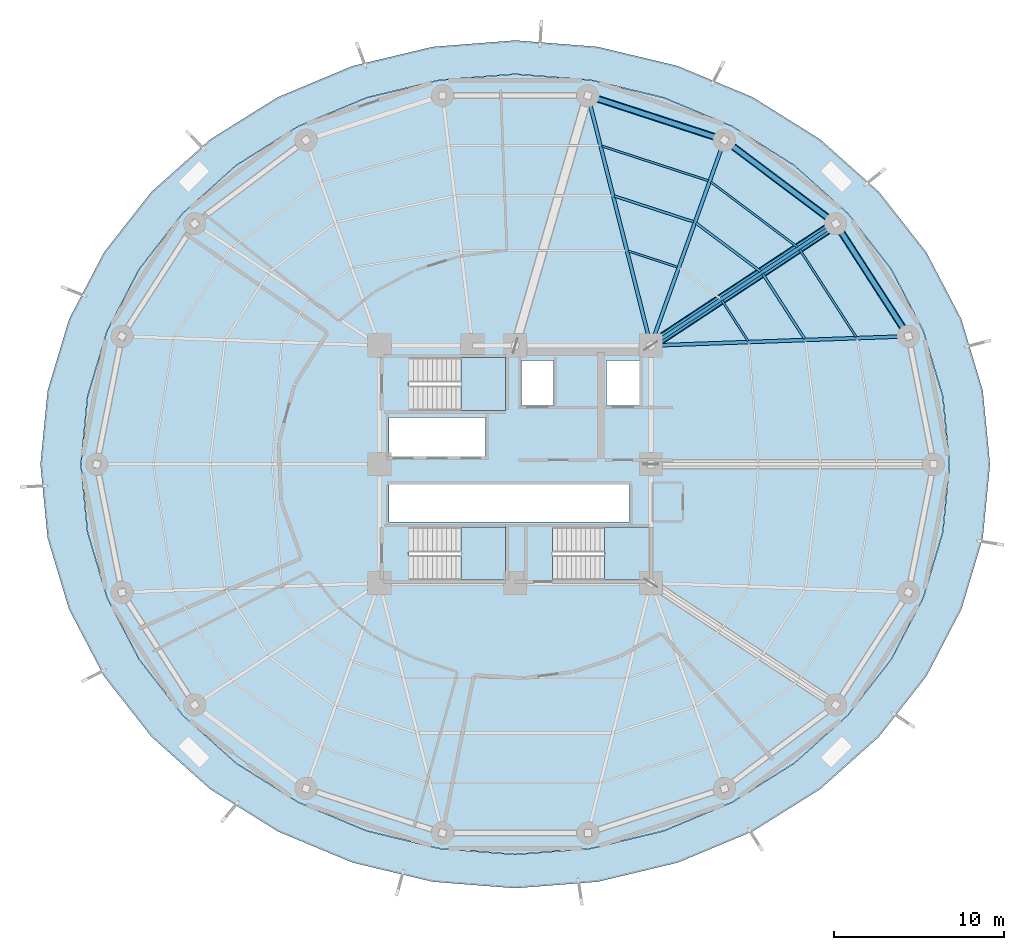
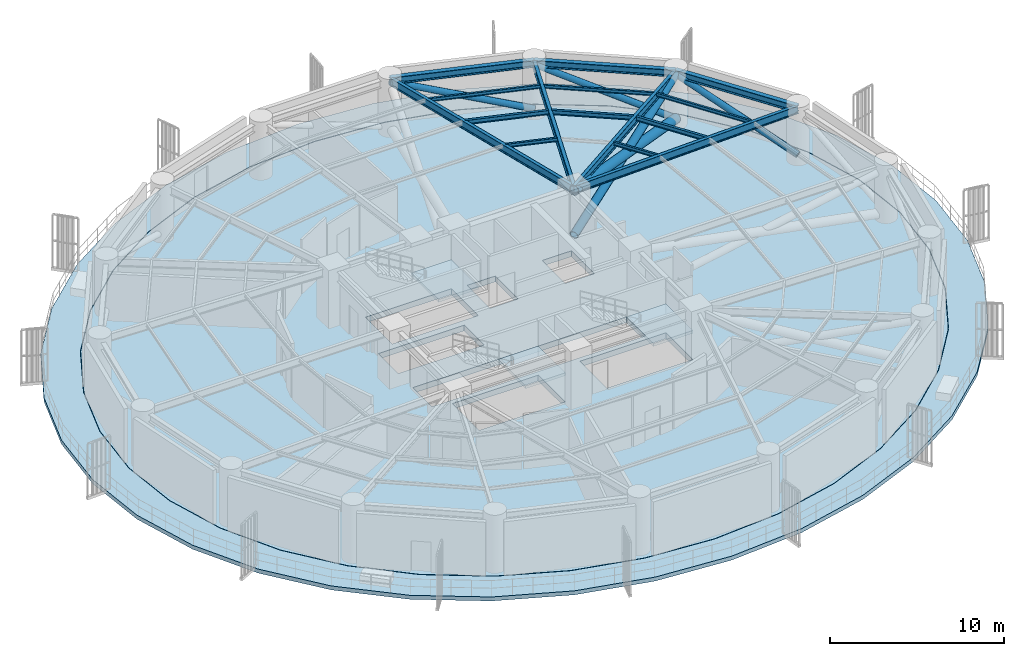
# One storey, part 3 of 10: 15 beams, 5 members, 5 slabs, 3 elements without a shape of their own.
"""IFC4 building model written with IfcOpenShell, lengths in metres."""

from ifc_helpers import new_model, si_unit, direction, frame, origin, origin_2d, place, context, subcontext, project, spatial, polyline, hollow_circle, i_section, outline, extrude, material, layer, layer_set, material_profile, profile_set, type_object, element, aggregate, save


model = new_model("IFC4")

# Units and contexts
model_context = context("Model", 3, precision=1e-05, world=origin(), true_north=direction((0.0, 1.0)))
body_context = subcontext(model_context, "Body", "Model", "MODEL_VIEW")
ifc_project = project(units=[si_unit("LENGTHUNIT", "METRE"), si_unit("AREAUNIT", "SQUARE_METRE"), si_unit("VOLUMEUNIT", "CUBIC_METRE"), si_unit("PLANEANGLEUNIT", "RADIAN"), si_unit("MASSUNIT", "GRAM", prefix="KILO")], contexts=[model_context])

# Site, building, storey
site_placement = place(None, origin())
site = spatial("IfcSite", under=ifc_project, at=site_placement, CompositionType="ELEMENT")
building_placement = place(site_placement, origin())
building = spatial("IfcBuilding", under=site, at=building_placement, Name="Kelanora Arch Commons", CompositionType="ELEMENT")
storey_placement = place(building_placement, frame((0.0, 0.0, 72.260009765625)))
storey = spatial("IfcBuildingStorey", under=building, at=storey_placement, Name="L18", CompositionType="ELEMENT", Elevation=72.260009765625)

# Beams
ifc_material_1 = material(Name="Steel S355", Category="steel")
ifc_material_profile_1 = material_profile(ifc_material_1, i_section(OverallWidth=0.14990234375, OverallDepth=0.300048828125, WebThickness=0.007080078125, FlangeThickness=0.0107421875, FilletRadius=0.014892578125, at=origin_2d()), Name="IPE300")
ifc_profile_set_1 = profile_set([ifc_material_profile_1], Name="Steel S355")
beam_type_1 = type_object("IfcBeamType", Name="BM-JST-01", PredefinedType="JOIST", material=ifc_profile_set_1)
beam_1_placement = place(storey_placement, frame((91.06884765625, 65.402587890625, 3.679931640625), z_axis=(-0.542230243286, 0.840229946661, 0.0), x_axis=(-0.840229946661, -0.542230243286, 0.0)))
element("IfcBeam", 1, at=beam_1_placement, inside=storey, type_object=beam_type_1, Name="Secondary Chord Joist BJB-02 L18", PredefinedType="JOIST", context=body_context, shape_type="SweptSolid", body=[
    extrude(i_section(OverallWidth=0.14990234375, OverallDepth=0.300048828125, WebThickness=0.007080078125, FlangeThickness=0.0107421875, FilletRadius=0.014892578125, at=origin_2d()), origin(), (0.0, 0.0, 1.0), 4.572265625),
])
beam_2_placement = place(storey_placement, frame((88.4755859375, 69.36669921875, 3.679931640625), z_axis=(-0.79971039107, 0.600385951214, 0.0), x_axis=(-0.600385951214, -0.79971039107, 0.0)))
element("IfcBeam", 2, at=beam_2_placement, inside=storey, type_object=beam_type_1, Name="Secondary Chord Joist BJB-04 L18", PredefinedType="JOIST", context=body_context, shape_type="SweptSolid", body=[
    extrude(i_section(OverallWidth=0.14990234375, OverallDepth=0.300048828125, WebThickness=0.007080078125, FlangeThickness=0.0107421875, FilletRadius=0.014892578125, at=origin_2d()), origin(), (0.0, 0.0, 1.0), 4.756103515625),
])
beam_3_placement = place(storey_placement, frame((84.523193359375, 72.29931640625, 3.679931640625), z_axis=(-0.950857140254, 0.309629938521, 0.0), x_axis=(-0.309629938521, -0.950857140254, 0.0)))
element("IfcBeam", 3, at=beam_3_placement, inside=storey, type_object=beam_type_1, Name="Secondary Chord Joist BJB-06 L18", PredefinedType="JOIST", context=body_context, shape_type="SweptSolid", body=[
    extrude(i_section(OverallWidth=0.14990234375, OverallDepth=0.300048828125, WebThickness=0.007080078125, FlangeThickness=0.0107421875, FilletRadius=0.014892578125, at=origin_2d()), origin(), (0.0, 0.0, 1.0), 4.912353515625),
])
ifc_material_profile_2 = material_profile(ifc_material_1, i_section(OverallWidth=0.1201171875, OverallDepth=0.239990234375, WebThickness=0.006103515625, FlangeThickness=0.009765625, FilletRadius=0.014892578125, at=origin_2d()), Name="IPE240")
ifc_profile_set_2 = profile_set([ifc_material_profile_2], Name="Steel S355")
beam_type_2 = type_object("IfcBeamType", Name="BM-JST-02", PredefinedType="JOIST", material=ifc_profile_set_2)
beam_4_placement = place(storey_placement, frame((87.726806640625, 65.281005859375, 3.7099609375), z_axis=(-0.542211255502, 0.840242199849, 0.0), x_axis=(-0.840242199849, -0.542211255502, 0.0)))
element("IfcBeam", 4, at=beam_4_placement, inside=storey, type_object=beam_type_2, Name="Secondary Chord Joist BJA-02 L18", PredefinedType="JOIST", context=body_context, shape_type="SweptSolid", body=[
    extrude(i_section(OverallWidth=0.1201171875, OverallDepth=0.239990234375, WebThickness=0.006103515625, FlangeThickness=0.009765625, FilletRadius=0.014892578125, at=origin_2d()), origin(), (0.0, 0.0, 1.0), 2.83349609375),
])
beam_5_placement = place(storey_placement, frame((94.107177734375, 65.512939453125, 3.7099609375), z_axis=(-0.542212726273, 0.840241250754, 0.0), x_axis=(-0.840241250754, -0.542212726273, 0.0)))
element("IfcBeam", 5, at=beam_5_placement, inside=storey, type_object=beam_type_2, Name="Secondary Chord Joist BJC-02 L18", PredefinedType="JOIST", context=body_context, shape_type="SweptSolid", body=[
    extrude(i_section(OverallWidth=0.1201171875, OverallDepth=0.239990234375, WebThickness=0.006103515625, FlangeThickness=0.009765625, FilletRadius=0.014892578125, at=origin_2d()), origin(), (0.0, 0.0, 1.0), 6.15283203125),
])
beam_6_placement = place(storey_placement, frame((90.65673828125, 70.805419921875, 3.7099609375), z_axis=(-0.799734335646, 0.600354055861, 0.0), x_axis=(-0.600354055861, -0.799734335646, 0.0)))
element("IfcBeam", 6, at=beam_6_placement, inside=storey, type_object=beam_type_2, Name="Secondary Chord Joist BJC-04 L18", PredefinedType="JOIST", context=body_context, shape_type="SweptSolid", body=[
    extrude(i_section(OverallWidth=0.1201171875, OverallDepth=0.239990234375, WebThickness=0.006103515625, FlangeThickness=0.009765625, FilletRadius=0.014892578125, at=origin_2d()), origin(), (0.0, 0.0, 1.0), 6.39794921875),
])
beam_7_placement = place(storey_placement, frame((83.568359375, 69.632568359375, 3.7099609375), z_axis=(-0.950846758946, 0.309661817151, 0.0), x_axis=(-0.309661817151, -0.950846758946, 0.0)))
element("IfcBeam", 7, at=beam_7_placement, inside=storey, type_object=beam_type_2, Name="Secondary Chord Joist BJA-06 L18", PredefinedType="JOIST", context=body_context, shape_type="SweptSolid", body=[
    extrude(i_section(OverallWidth=0.1201171875, OverallDepth=0.239990234375, WebThickness=0.006103515625, FlangeThickness=0.009765625, FilletRadius=0.014892578125, at=origin_2d()), origin(), (0.0, 0.0, 1.0), 3.048828125),
])
beam_8_placement = place(storey_placement, frame((85.39111328125, 74.723876953125, 3.7099609375), z_axis=(-0.950862829272, 0.309612467301, 0.0), x_axis=(-0.309612467301, -0.950862829272, 0.0)))
element("IfcBeam", 8, at=beam_8_placement, inside=storey, type_object=beam_type_2, Name="Secondary Chord Joist BJC-06 L18", PredefinedType="JOIST", context=body_context, shape_type="SweptSolid", body=[
    extrude(i_section(OverallWidth=0.1201171875, OverallDepth=0.239990234375, WebThickness=0.006103515625, FlangeThickness=0.009765625, FilletRadius=0.014892578125, at=origin_2d()), origin(), (0.0, 0.0, 1.0), 6.6064453125),
])
ifc_material_profile_3 = material_profile(ifc_material_1, i_section(OverallWidth=0.2099609375, OverallDepth=0.550048828125, WebThickness=0.010986328125, FlangeThickness=0.01708984375, FilletRadius=0.02392578125, at=origin_2d()), Name="IPE550")
ifc_profile_set_3 = profile_set([ifc_material_profile_3], Name="Steel S355")
beam_type_3 = type_object("IfcBeamType", Name="BM-RAD-Z2", PredefinedType="BEAM", material=ifc_profile_set_3)
beam_9_placement = place(storey_placement, frame((82.0, 65.0, 3.554931640625), z_axis=(0.999341087625, 0.036295875581, 0.0), x_axis=(-0.036295875581, 0.999341087625, 0.0)))
element("IfcBeam", 9, at=beam_9_placement, inside=storey, type_object=beam_type_3, Name="Radial Floor Girder BR-02 L18", PredefinedType="BEAM", context=body_context, shape_type="SweptSolid", body=[
    extrude(i_section(OverallWidth=0.2099609375, OverallDepth=0.550048828125, WebThickness=0.010986328125, FlangeThickness=0.01708984375, FilletRadius=0.02392578125, at=origin_2d()), origin(), (0.0, 0.0, 1.0), 15.20166015625),
])
beam_10_placement = place(storey_placement, frame((82.0, 65.0, 3.554931640625), z_axis=(0.834788577908, 0.550570640512, 0.0), x_axis=(-0.550570640512, 0.834788577908, 0.0)))
element("IfcBeam", 10, at=beam_10_placement, inside=storey, type_object=beam_type_3, Name="Radial Floor Girder BR-04 L18", PredefinedType="BEAM", context=body_context, shape_type="SweptSolid", body=[
    extrude(i_section(OverallWidth=0.2099609375, OverallDepth=0.550048828125, WebThickness=0.010986328125, FlangeThickness=0.01708984375, FilletRadius=0.02392578125, at=origin_2d()), origin(), (0.0, 0.0, 1.0), 13.064453125),
])
beam_11_placement = place(storey_placement, frame((82.0, 65.0, 3.554931640625), z_axis=(0.337084640008, 0.941474346687, 0.0), x_axis=(-0.941474346687, 0.337084640008, 0.0)))
element("IfcBeam", 11, at=beam_11_placement, inside=storey, type_object=beam_type_3, Name="Radial Floor Girder BR-06 L18", PredefinedType="BEAM", context=body_context, shape_type="SweptSolid", body=[
    extrude(i_section(OverallWidth=0.2099609375, OverallDepth=0.550048828125, WebThickness=0.010986328125, FlangeThickness=0.01708984375, FilletRadius=0.02392578125, at=origin_2d()), origin(), (0.0, 0.0, 1.0), 12.875244140625),
])
beam_12_placement = place(storey_placement, frame((82.0, 65.0, 3.554931640625), z_axis=(-0.244280647475, 0.969704576286, 0.0), x_axis=(-0.969704576286, -0.244280647475, 0.0)))
element("IfcBeam", 12, at=beam_12_placement, inside=storey, type_object=beam_type_3, Name="Radial Floor Girder BR-08 L18", PredefinedType="BEAM", context=body_context, shape_type="SweptSolid", body=[
    extrude(i_section(OverallWidth=0.2099609375, OverallDepth=0.550048828125, WebThickness=0.010986328125, FlangeThickness=0.01708984375, FilletRadius=0.02392578125, at=origin_2d()), origin(), (0.0, 0.0, 1.0), 15.205322265625),
])
ifc_material_profile_4 = material_profile(ifc_material_1, i_section(OverallWidth=0.300048828125, OverallDepth=0.5, WebThickness=0.014404296875, FlangeThickness=0.028076171875, FilletRadius=0.027099609375, at=origin_2d()), Name="HEB500")
ifc_profile_set_4 = profile_set([ifc_material_profile_4], Name="Steel S355")
beam_type_4 = type_object("IfcBeamType", Name="BM-SPN-Z2", PredefinedType="SPANDREL", material=ifc_profile_set_4)
beam_13_placement = place(storey_placement, frame((97.191650390625, 65.5517578125, 3.580078125), z_axis=(-0.542221144054, 0.840235818649, 0.0), x_axis=(-0.840235818649, -0.542221144054, 0.0)))
element("IfcBeam", 13, at=beam_13_placement, inside=storey, type_object=beam_type_4, Name="Perimeter Spandrel Beam BS-02 L18", PredefinedType="SPANDREL", context=body_context, shape_type="SweptSolid", body=[
    extrude(i_section(OverallWidth=0.300048828125, OverallDepth=0.5, WebThickness=0.014404296875, FlangeThickness=0.028076171875, FilletRadius=0.027099609375, at=origin_2d()), origin(), (0.0, 0.0, 1.0), 7.90380859375),
])
beam_14_placement = place(storey_placement, frame((92.906005859375, 72.19287109375, 3.580078125), z_axis=(-0.799735861602, 0.600352023123, 0.0), x_axis=(-0.600352023123, -0.799735861602, 0.0)))
element("IfcBeam", 14, at=beam_14_placement, inside=storey, type_object=beam_type_4, Name="Perimeter Spandrel Beam BS-04 L18", PredefinedType="SPANDREL", context=body_context, shape_type="SweptSolid", body=[
    extrude(i_section(OverallWidth=0.300048828125, OverallDepth=0.5, WebThickness=0.014404296875, FlangeThickness=0.028076171875, FilletRadius=0.027099609375, at=origin_2d()), origin(), (0.0, 0.0, 1.0), 8.210205078125),
])
beam_15_placement = place(storey_placement, frame((86.340087890625, 77.121826171875, 3.580078125), z_axis=(-0.950856631974, 0.309631499418, 0.0), x_axis=(-0.309631499418, -0.950856631974, 0.0)))
element("IfcBeam", 15, at=beam_15_placement, inside=storey, type_object=beam_type_4, Name="Perimeter Spandrel Beam BS-06 L18", PredefinedType="SPANDREL", context=body_context, shape_type="SweptSolid", body=[
    extrude(i_section(OverallWidth=0.300048828125, OverallDepth=0.5, WebThickness=0.014404296875, FlangeThickness=0.028076171875, FilletRadius=0.027099609375, at=origin_2d()), origin(), (0.0, 0.0, 1.0), 8.470703125),
])

# Members
ifc_material_profile_5 = material_profile(ifc_material_1, hollow_circle(Radius=0.203125, WallThickness=0.02001953125, at=origin_2d()), Name="CHS406.4x20")
ifc_profile_set_5 = profile_set([ifc_material_profile_5], Name="Steel S355")
member_type_1 = type_object("IfcMemberType", Name="MEM-BELT-DIAG", PredefinedType="BRACE", material=ifc_profile_set_5)
member_1_placement = place(storey_placement, frame((97.191650390625, 65.5517578125, 0.35009765625), z_axis=(-0.504133117679, 0.781213915182, 0.368177427859), x_axis=(-0.840235818649, -0.542221144054, 0.0)))
element("IfcMember", 16, at=member_1_placement, inside=storey, type_object=member_type_1, Name="Belt Truss Diagonal MB-02 L18", PredefinedType="BRACE", context=body_context, shape_type="SweptSolid", body=[
    extrude(hollow_circle(Radius=0.203125, WallThickness=0.02001953125, at=origin_2d()), origin(), (0.0, 0.0, 1.0), 8.5009765625),
])
member_2_placement = place(storey_placement, frame((92.906005859375, 72.19287109375, 0.35009765625), z_axis=(-0.747276035377, 0.560971067086, 0.35621621081), x_axis=(-0.600352023123, -0.799735861602, 0.0)))
element("IfcMember", 17, at=member_2_placement, inside=storey, type_object=member_type_1, Name="Belt Truss Diagonal MB-04 L18", PredefinedType="BRACE", context=body_context, shape_type="SweptSolid", body=[
    extrude(hollow_circle(Radius=0.203125, WallThickness=0.02001953125, at=origin_2d()), origin(), (0.0, 0.0, 1.0), 8.786376953125),
])
member_3_placement = place(storey_placement, frame((86.340087890625, 77.121826171875, 0.35009765625), z_axis=(-0.891918894106, 0.290439352532, 0.346591501392), x_axis=(-0.309631499418, -0.950856631974, 0.0)))
element("IfcMember", 18, at=member_3_placement, inside=storey, type_object=member_type_1, Name="Belt Truss Diagonal MB-06 L18", PredefinedType="BRACE", context=body_context, shape_type="SweptSolid", body=[
    extrude(hollow_circle(Radius=0.203125, WallThickness=0.02001953125, at=origin_2d()), origin(), (0.0, 0.0, 1.0), 9.030517578125),
])
ifc_material_profile_6 = material_profile(ifc_material_1, hollow_circle(Radius=0.304931640625, WallThickness=0.030029296875, at=origin_2d()), Name="CHS610x30")
ifc_profile_set_6 = profile_set([ifc_material_profile_6], Name="Steel S355")
member_type_2 = type_object("IfcMemberType", Name="MEM-OUT-CHORD", PredefinedType="CHORD", material=ifc_profile_set_6)
member_4_placement = place(storey_placement, frame((82.0, 65.0, 3.47998046875), z_axis=(0.811816311555, 0.53541967207, -0.232980795463), x_axis=(-0.550570640512, 0.834788577908, 0.0)))
element("IfcMember", 19, at=member_4_placement, inside=storey, type_object=member_type_2, Name="Outrigger Counter-Brace MO-04B L18", PredefinedType="CHORD", context=body_context, shape_type="SweptSolid", body=[
    extrude(hollow_circle(Radius=0.304931640625, WallThickness=0.030029296875, at=origin_2d()), origin(), (0.0, 0.0, 1.0), 13.43408203125),
])
ifc_material_profile_7 = material_profile(ifc_material_1, hollow_circle(Radius=0.25390625, WallThickness=0.02490234375, at=origin_2d()), Name="CHS508x25")
ifc_profile_set_7 = profile_set([ifc_material_profile_7], Name="Steel S355")
member_type_3 = type_object("IfcMemberType", Name="MEM-OUT-DIAG", PredefinedType="BRACE", material=ifc_profile_set_7)
member_5_placement = place(storey_placement, frame((82.0, 65.0, 0.35009765625), z_axis=(0.811816311555, 0.53541967207, 0.232980795463), x_axis=(-0.550570640512, 0.834788577908, 0.0)))
element("IfcMember", 20, at=member_5_placement, inside=storey, type_object=member_type_3, Name="Outrigger Diagonal MO-04A L18", PredefinedType="BRACE", context=body_context, shape_type="SweptSolid", body=[
    extrude(hollow_circle(Radius=0.25390625, WallThickness=0.02490234375, at=origin_2d()), origin(), (0.0, 0.0, 1.0), 13.43408203125),
])

# Slab
ifc_material_2 = material(Name="Concrete C40/50", Category="concrete")
ifc_layer_1 = layer(ifc_material_2, 0.280029296875)
ifc_layer_set_1 = layer_set([ifc_layer_1], Name="Concrete C40/50")
slab_type_1 = type_object("IfcSlabType", Name="SLB-SET-TERR", PredefinedType="FLOOR", material=ifc_layer_set_1)
slab_1_placement = place(storey_placement, frame((0.0, 0.0, -0.280029296875)))
element("IfcSlab", 21, at=slab_1_placement, inside=storey, type_object=slab_type_1, Name="Setback Planted Sky-Terrace Slab L18", PredefinedType="FLOOR", context=body_context, shape_type="SweptSolid", body=[
    extrude(outline(polyline([(102.0, 58.0), (101.57470703125, 62.34130859375), (100.311279296875, 66.550537109375), (98.248779296875, 70.5), (95.44921875, 74.069580078125), (91.998046875, 77.151123046875), (88.0, 79.650634765625), (83.57666015625, 81.4921875), (78.862060546875, 82.6201171875), (74.0, 83.0), (69.137939453125, 82.6201171875), (64.42333984375, 81.4921875), (60.0, 79.650634765625), (56.001953125, 77.151123046875), (52.55078125, 74.069580078125), (49.751220703125, 70.5), (47.688720703125, 66.550537109375), (46.42529296875, 62.34130859375), (46.0, 58.0), (46.42529296875, 53.65869140625), (47.688720703125, 49.449462890625), (49.751220703125, 45.5), (52.55078125, 41.930419921875), (56.001953125, 38.848876953125), (60.0, 36.349365234375), (64.42333984375, 34.5078125), (69.137939453125, 33.3798828125), (74.0, 33.0), (78.862060546875, 33.3798828125), (83.57666015625, 34.5078125), (88.0, 36.349365234375), (91.998046875, 38.848876953125), (95.44921875, 41.930419921875), (98.248779296875, 45.5), (100.311279296875, 49.449462890625), (101.57470703125, 53.65869140625), (102.0, 58.0)]), holes=[polyline([(99.230712890625, 54.002685546875), (98.074951171875, 50.126708984375), (96.1875, 46.489990234375), (93.626220703125, 43.202880859375), (90.46826171875, 40.36572265625), (86.81005859375, 38.064208984375), (82.7626953125, 36.368408203125), (78.448974609375, 35.32958984375), (74.0, 34.97998046875), (69.551025390625, 35.32958984375), (65.2373046875, 36.368408203125), (61.18994140625, 38.064208984375), (57.53173828125, 40.36572265625), (54.373779296875, 43.202880859375), (51.8125, 46.489990234375), (49.925048828125, 50.126708984375), (48.769287109375, 54.002685546875), (48.3798828125, 58.0), (48.769287109375, 61.997314453125), (49.925048828125, 65.873291015625), (51.8125, 69.510009765625), (54.373779296875, 72.797119140625), (57.53173828125, 75.63427734375), (61.18994140625, 77.935791015625), (65.2373046875, 79.631591796875), (69.551025390625, 80.67041015625), (74.0, 81.02001953125), (78.448974609375, 80.67041015625), (82.7626953125, 79.631591796875), (86.81005859375, 77.935791015625), (90.46826171875, 75.63427734375), (93.626220703125, 72.797119140625), (96.1875, 69.510009765625), (98.074951171875, 65.873291015625), (99.230712890625, 61.997314453125), (99.6201171875, 58.0), (99.230712890625, 54.002685546875)])]), origin(), (0.0, 0.0, 1.0), 0.280029296875),
])

# Stair, slab
stair_type = type_object("IfcStairType", Name="STR-DL-409", PredefinedType="HALF_TURN_STAIR", material=ifc_material_2)
stair_1_placement = place(storey_placement, origin())
stair_1 = element("IfcStair", 22, at=stair_1_placement, inside=storey, type_object=stair_type, Name="L18 ST-T1", PredefinedType="HALF_TURN_STAIR")
ifc_layer_2 = layer(ifc_material_2, 0.199951171875)
ifc_layer_set_2 = layer_set([ifc_layer_2], Name="Concrete C40/50")
slab_type_2 = type_object("IfcSlabType", Name="SLB-STAIR-LND", PredefinedType="LANDING", material=ifc_layer_set_2)
slab_2_placement = place(storey_placement, frame((0.0, 0.0, 1.844970703125)))
slab_2 = element("IfcSlab", 23, at=slab_2_placement, type_object=slab_type_2, Name="ST-T1 landing 1", PredefinedType="LANDING", context=body_context, shape_type="SweptSolid", body=[
    extrude(outline(polyline([(70.800048828125, 61.179931640625), (73.43994140625, 61.179931640625), (73.43994140625, 64.2900390625), (70.800048828125, 64.2900390625), (70.800048828125, 61.179931640625)])), origin(), (0.0, 0.0, 1.0), 0.199951171875),
])
aggregate(stair_1, [slab_2])

stair_2_placement = place(storey_placement, origin())
stair_2 = element("IfcStair", 24, at=stair_2_placement, inside=storey, type_object=stair_type, Name="L18 ST-T2", PredefinedType="HALF_TURN_STAIR")
slab_3_placement = place(storey_placement, frame((0.0, 0.0, 1.844970703125)))
slab_3 = element("IfcSlab", 25, at=slab_3_placement, type_object=slab_type_2, Name="ST-T2 landing 1", PredefinedType="LANDING", context=body_context, shape_type="SweptSolid", body=[
    extrude(outline(polyline([(79.280029296875, 51.179931640625), (81.919921875, 51.179931640625), (81.919921875, 54.2900390625), (79.280029296875, 54.2900390625), (79.280029296875, 51.179931640625)])), origin(), (0.0, 0.0, 1.0), 0.199951171875),
])
aggregate(stair_2, [slab_3])

stair_3_placement = place(storey_placement, origin())
stair_3 = element("IfcStair", 26, at=stair_3_placement, inside=storey, type_object=stair_type, Name="L18 ST-T3", PredefinedType="HALF_TURN_STAIR")
slab_4_placement = place(storey_placement, frame((0.0, 0.0, 1.844970703125)))
slab_4 = element("IfcSlab", 27, at=slab_4_placement, type_object=slab_type_2, Name="ST-T3 landing 1", PredefinedType="LANDING", context=body_context, shape_type="SweptSolid", body=[
    extrude(outline(polyline([(70.800048828125, 51.179931640625), (73.43994140625, 51.179931640625), (73.43994140625, 54.2900390625), (70.800048828125, 54.2900390625), (70.800048828125, 51.179931640625)])), origin(), (0.0, 0.0, 1.0), 0.199951171875),
])
aggregate(stair_3, [slab_4])

# Slab
ifc_material_3 = material(Name="Concrete C50/60", Category="concrete")
ifc_layer_3 = layer(ifc_material_3, 0.39990234375)
ifc_layer_set_3 = layer_set([ifc_layer_3], Name="Concrete C50/60")
slab_type_3 = type_object("IfcSlabType", Name="SLB-TWR-XFER", PredefinedType="FLOOR", material=ifc_layer_set_3)
slab_5_placement = place(storey_placement, frame((0.0, 0.0, -0.39990234375)))
element("IfcSlab", 28, at=slab_5_placement, inside=storey, type_object=slab_type_3, Name="Tower Floor Slab L18", PredefinedType="FLOOR", context=body_context, shape_type="SweptSolid", body=[
    extrude(outline(polyline([(99.60009765625, 58.0), (99.211181640625, 61.993896484375), (98.05615234375, 65.866455078125), (96.17041015625, 69.5), (93.610595703125, 72.7841796875), (90.455322265625, 75.618896484375), (86.800048828125, 77.918701171875), (82.755615234375, 79.61279296875), (78.4453125, 80.650634765625), (74.0, 81.0), (69.5546875, 80.650634765625), (65.244384765625, 79.61279296875), (61.199951171875, 77.918701171875), (57.544677734375, 75.618896484375), (54.389404296875, 72.7841796875), (51.82958984375, 69.5), (49.94384765625, 65.866455078125), (48.788818359375, 61.993896484375), (48.39990234375, 58.0), (48.788818359375, 54.006103515625), (49.94384765625, 50.133544921875), (51.82958984375, 46.5), (54.389404296875, 43.2158203125), (57.544677734375, 40.381103515625), (61.199951171875, 38.081298828125), (65.244384765625, 36.38720703125), (69.5546875, 35.349365234375), (74.0, 35.0), (78.4453125, 35.349365234375), (82.755615234375, 36.38720703125), (86.800048828125, 38.081298828125), (90.455322265625, 40.381103515625), (93.610595703125, 43.2158203125), (96.17041015625, 46.5), (98.05615234375, 50.133544921875), (99.211181640625, 54.006103515625), (99.60009765625, 58.0)]), holes=[polyline([(73.431884765625, 51.18798828125), (67.72802734375, 51.18798828125), (67.72802734375, 54.281982421875), (73.431884765625, 54.281982421875), (73.431884765625, 51.18798828125)]), polyline([(76.2080078125, 51.18798828125), (76.2080078125, 54.281982421875), (81.912109375, 54.281982421875), (81.912109375, 51.18798828125), (76.2080078125, 51.18798828125)]), polyline([(66.550048828125, 54.60009765625), (66.550048828125, 56.800048828125), (80.75, 56.800048828125), (80.75, 54.60009765625), (66.550048828125, 54.60009765625)]), polyline([(66.550048828125, 58.449951171875), (66.550048828125, 60.75), (72.25, 60.75), (72.25, 58.449951171875), (66.550048828125, 58.449951171875)]), polyline([(67.72802734375, 61.18798828125), (67.72802734375, 64.281982421875), (73.431884765625, 64.281982421875), (73.431884765625, 61.18798828125), (67.72802734375, 61.18798828125)]), polyline([(74.3798828125, 61.47998046875), (74.3798828125, 64.1201171875), (76.260009765625, 64.1201171875), (76.260009765625, 61.47998046875), (74.3798828125, 61.47998046875)]), polyline([(79.3798828125, 61.47998046875), (79.3798828125, 64.1201171875), (81.320068359375, 64.1201171875), (81.320068359375, 61.47998046875), (79.3798828125, 61.47998046875)])]), origin(), (0.0, 0.0, 1.0), 0.39990234375),
])

save(model, "model.ifc")
